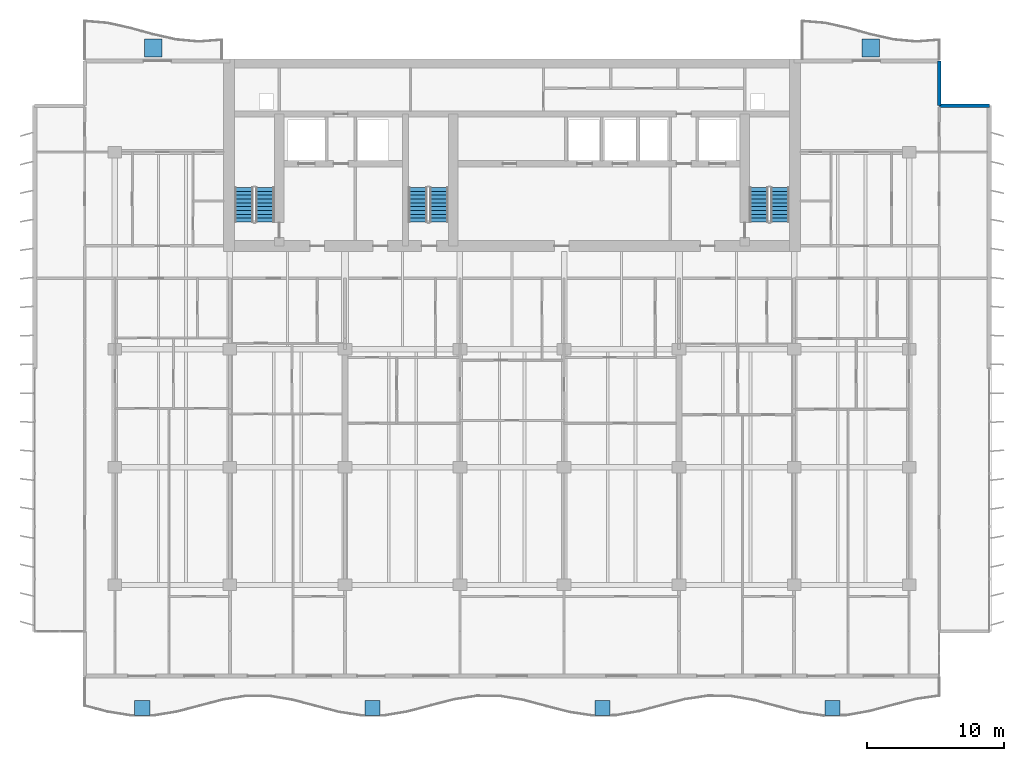
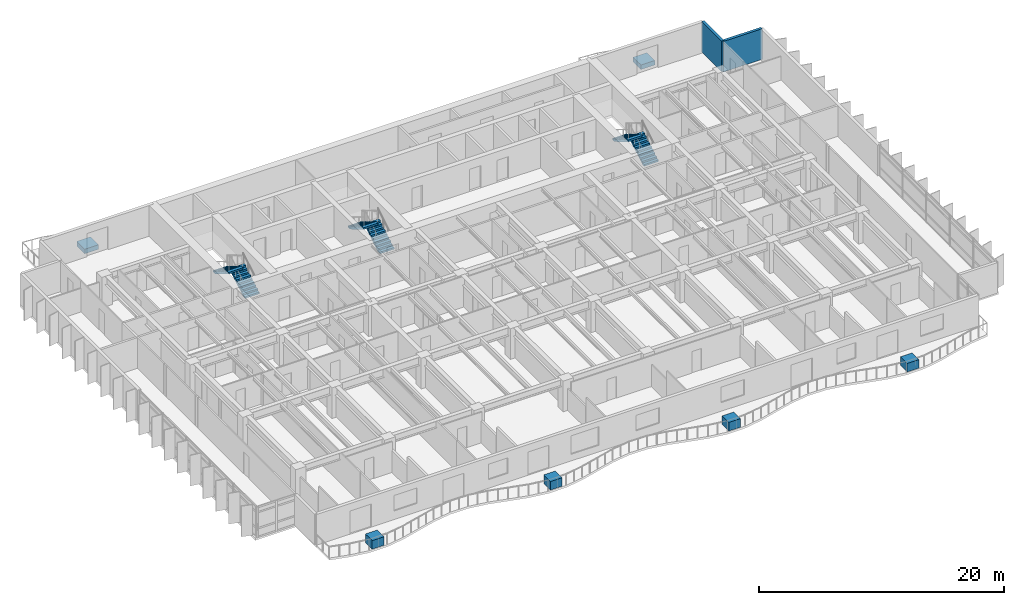
# One storey, part 12 of 16: 6 discrete accessories, 6 stair flights, 2 walls, 3 elements without a shape of their own.
"""IFC4 building model written with IfcOpenShell, lengths in metres."""

from ifc_helpers import new_model, si_unit, direction, frame, frame_2d, origin, origin_2d, place, context, subcontext, project, spatial, polyline, rectangle, outline, extrude, material, layer, layer_set, type_object, element, aggregate, save


model = new_model("IFC4")

# Units and contexts
model_context = context("Model", 3, precision=1e-05, world=origin(), true_north=direction((0.0, 1.0)))
body_context = subcontext(model_context, "Body", "Model", "MODEL_VIEW")
ifc_project = project(units=[si_unit("LENGTHUNIT", "METRE"), si_unit("AREAUNIT", "SQUARE_METRE"), si_unit("VOLUMEUNIT", "CUBIC_METRE"), si_unit("PLANEANGLEUNIT", "RADIAN"), si_unit("MASSUNIT", "GRAM", prefix="KILO")], contexts=[model_context])

# Site, building, storey
site_placement = place(None, origin())
site = spatial("IfcSite", under=ifc_project, at=site_placement, CompositionType="ELEMENT")
building_placement = place(site_placement, origin())
building = spatial("IfcBuilding", under=site, at=building_placement, Name="Caelmar Bay Residences", CompositionType="ELEMENT")
storey_placement = place(building_placement, frame((0.0, 0.0, 102.60009765625)))
storey = spatial("IfcBuildingStorey", under=building, at=storey_placement, Name="L27", CompositionType="ELEMENT", Elevation=102.60009765625)

# Walls
ifc_material_1 = material(Name="Precast concrete f'c 40 MPa (6,000 psi)", Category="concrete")
ifc_layer = layer(ifc_material_1, 0.25)
ifc_layer_set = layer_set([ifc_layer], Name="Precast concrete f'c 40 MPa (6,000 psi)")
wall_type = type_object("IfcWallType", Name="W-EXT-250", PredefinedType="ELEMENTEDWALL", material=ifc_layer_set)
wall_1_placement = place(storey_placement, frame((70.10009765625, 50.449951171875, 0.0), z_axis=(0.0, 0.0, 1.0), x_axis=(0.0, -1.0, 0.0)))
element("IfcWall", 1, at=wall_1_placement, inside=storey, type_object=wall_type, Name="L27 NNE-V Notch Wall", PredefinedType="ELEMENTEDWALL", context=body_context, shape_type="SweptSolid", body=[
    extrude(rectangle(XDim=3.25, YDim=0.25, at=frame_2d((1.625, 0.0))), origin(), (0.0, 0.0, 1.0), 3.0498046875),
])
wall_2_placement = place(storey_placement, frame((70.10009765625, 47.199951171875, 0.0), z_axis=(0.0, 0.0, 1.0), x_axis=(1.0, 0.0, 0.0)))
element("IfcWall", 2, at=wall_2_placement, inside=storey, type_object=wall_type, Name="L27 NNE-H Notch Wall", PredefinedType="ELEMENTEDWALL", context=body_context, shape_type="SweptSolid", body=[
    extrude(rectangle(XDim=3.64990234375, YDim=0.25, at=frame_2d((1.824951171875, 0.0))), origin(), (0.0, 0.0, 1.0), 3.0498046875),
])

# Stair, stair flights
ifc_material_2 = material(Name="Concrete f'c 40 MPa (6,000 psi)", Category="concrete")
stair_type = type_object("IfcStairType", Name="ST-TYP-165", PredefinedType="HALF_TURN_STAIR", material=ifc_material_2)
stair_1_placement = place(storey_placement, origin())
stair_1 = element("IfcStair", 3, at=stair_1_placement, inside=storey, type_object=stair_type, Name="L27 West Smokeproof Exit Stair ST1", PredefinedType="HALF_TURN_STAIR")
stair_flight_type = type_object("IfcStairFlightType", Name="STF-1350", PredefinedType="STRAIGHT", material=ifc_material_2)
stair_flight_1_placement = place(storey_placement, frame((20.875, 38.699951171875, 0.0), z_axis=(0.0, 0.0, 1.0), x_axis=(0.0, 1.0, 0.0)))
stair_flight_1 = element("IfcStairFlight", 4, at=stair_flight_1_placement, type_object=stair_flight_type, Name="ST1 flight 1", NumberOfRisers=10, NumberOfTreads=9, PredefinedType="STRAIGHT", RiserHeight=0.165, TreadLength=0.28, context=body_context, shape_type="SweptSolid", body=[
    extrude(outline(polyline([(0.0, 0.0), (0.0, 0.1650390625), (0.280029296875, 0.1650390625), (0.280029296875, 0.330078125), (0.56005859375, 0.330078125), (0.56005859375, 0.4951171875), (0.840087890625, 0.4951171875), (0.840087890625, 0.659912109375), (1.1201171875, 0.659912109375), (1.1201171875, 0.824951171875), (1.39990234375, 0.824951171875), (1.39990234375, 0.989990234375), (1.679931640625, 0.989990234375), (1.679931640625, 1.155029296875), (1.9599609375, 1.155029296875), (1.9599609375, 1.320068359375), (2.239990234375, 1.320068359375), (2.239990234375, 1.485107421875), (2.52001953125, 1.485107421875), (2.52001953125, 1.64990234375), (2.52001953125, 1.31103515625), (0.295166015625, 0.0), (0.0, 0.0)])), frame((0.0, 0.675048828125, 0.0), z_axis=(0.0, -1.0, 0.0), x_axis=(1.0, 0.0, 0.0)), (0.0, 0.0, 1.0), 1.35009765625),
])
stair_flight_2_placement = place(storey_placement, frame((19.324951171875, 41.219970703125, 1.64990234375), z_axis=(0.0, 0.0, 1.0), x_axis=(0.0, -1.0, 0.0)))
stair_flight_2 = element("IfcStairFlight", 5, at=stair_flight_2_placement, type_object=stair_flight_type, Name="ST1 flight 2", NumberOfRisers=10, NumberOfTreads=9, PredefinedType="STRAIGHT", RiserHeight=0.165, TreadLength=0.28, context=body_context, shape_type="SweptSolid", body=[
    extrude(outline(polyline([(0.0, 0.0), (0.0, 0.1650390625), (0.280029296875, 0.1650390625), (0.280029296875, 0.330078125), (0.56005859375, 0.330078125), (0.56005859375, 0.4951171875), (0.840087890625, 0.4951171875), (0.840087890625, 0.659912109375), (1.1201171875, 0.659912109375), (1.1201171875, 0.824951171875), (1.39990234375, 0.824951171875), (1.39990234375, 0.989990234375), (1.679931640625, 0.989990234375), (1.679931640625, 1.155029296875), (1.9599609375, 1.155029296875), (1.9599609375, 1.320068359375), (2.239990234375, 1.320068359375), (2.239990234375, 1.485107421875), (2.52001953125, 1.485107421875), (2.52001953125, 1.64990234375), (2.52001953125, 1.31103515625), (0.295166015625, 0.0), (0.0, 0.0)])), frame((0.0, 0.675048828125, 0.0), z_axis=(0.0, -1.0, 0.0), x_axis=(1.0, 0.0, 0.0)), (0.0, 0.0, 1.0), 1.35009765625),
])
aggregate(stair_1, [stair_flight_1, stair_flight_2])

stair_2_placement = place(storey_placement, origin())
stair_2 = element("IfcStair", 6, at=stair_2_placement, inside=storey, type_object=stair_type, Name="L27 East Smokeproof Exit Stair ST2", PredefinedType="HALF_TURN_STAIR")
stair_flight_3_placement = place(storey_placement, frame((58.47509765625, 38.699951171875, 0.0), z_axis=(0.0, 0.0, 1.0), x_axis=(0.0, 1.0, 0.0)))
stair_flight_3 = element("IfcStairFlight", 7, at=stair_flight_3_placement, type_object=stair_flight_type, Name="ST2 flight 1", NumberOfRisers=10, NumberOfTreads=9, PredefinedType="STRAIGHT", RiserHeight=0.165, TreadLength=0.28, context=body_context, shape_type="SweptSolid", body=[
    extrude(outline(polyline([(0.0, 0.0), (0.0, 0.1650390625), (0.280029296875, 0.1650390625), (0.280029296875, 0.330078125), (0.56005859375, 0.330078125), (0.56005859375, 0.4951171875), (0.840087890625, 0.4951171875), (0.840087890625, 0.659912109375), (1.1201171875, 0.659912109375), (1.1201171875, 0.824951171875), (1.39990234375, 0.824951171875), (1.39990234375, 0.989990234375), (1.679931640625, 0.989990234375), (1.679931640625, 1.155029296875), (1.9599609375, 1.155029296875), (1.9599609375, 1.320068359375), (2.239990234375, 1.320068359375), (2.239990234375, 1.485107421875), (2.52001953125, 1.485107421875), (2.52001953125, 1.64990234375), (2.52001953125, 1.31103515625), (0.295166015625, 0.0), (0.0, 0.0)])), frame((0.0, 0.675048828125, 0.0), z_axis=(0.0, -1.0, 0.0), x_axis=(1.0, 0.0, 0.0)), (0.0, 0.0, 1.0), 1.35009765625),
])
stair_flight_4_placement = place(storey_placement, frame((56.925048828125, 41.219970703125, 1.64990234375), z_axis=(0.0, 0.0, 1.0), x_axis=(0.0, -1.0, 0.0)))
stair_flight_4 = element("IfcStairFlight", 8, at=stair_flight_4_placement, type_object=stair_flight_type, Name="ST2 flight 2", NumberOfRisers=10, NumberOfTreads=9, PredefinedType="STRAIGHT", RiserHeight=0.165, TreadLength=0.28, context=body_context, shape_type="SweptSolid", body=[
    extrude(outline(polyline([(0.0, 0.0), (0.0, 0.1650390625), (0.280029296875, 0.1650390625), (0.280029296875, 0.330078125), (0.56005859375, 0.330078125), (0.56005859375, 0.4951171875), (0.840087890625, 0.4951171875), (0.840087890625, 0.659912109375), (1.1201171875, 0.659912109375), (1.1201171875, 0.824951171875), (1.39990234375, 0.824951171875), (1.39990234375, 0.989990234375), (1.679931640625, 0.989990234375), (1.679931640625, 1.155029296875), (1.9599609375, 1.155029296875), (1.9599609375, 1.320068359375), (2.239990234375, 1.320068359375), (2.239990234375, 1.485107421875), (2.52001953125, 1.485107421875), (2.52001953125, 1.64990234375), (2.52001953125, 1.31103515625), (0.295166015625, 0.0), (0.0, 0.0)])), frame((0.0, 0.675048828125, 0.0), z_axis=(0.0, -1.0, 0.0), x_axis=(1.0, 0.0, 0.0)), (0.0, 0.0, 1.0), 1.35009765625),
])
aggregate(stair_2, [stair_flight_3, stair_flight_4])

stair_3_placement = place(storey_placement, origin())
stair_3 = element("IfcStair", 9, at=stair_3_placement, inside=storey, type_object=stair_type, Name="L27 Central Smokeproof Exit Stair ST3", PredefinedType="HALF_TURN_STAIR")
stair_flight_5_placement = place(storey_placement, frame((33.574951171875, 38.699951171875, 0.0), z_axis=(0.0, 0.0, 1.0), x_axis=(0.0, 1.0, 0.0)))
stair_flight_5 = element("IfcStairFlight", 10, at=stair_flight_5_placement, type_object=stair_flight_type, Name="ST3 flight 1", NumberOfRisers=10, NumberOfTreads=9, PredefinedType="STRAIGHT", RiserHeight=0.165, TreadLength=0.28, context=body_context, shape_type="SweptSolid", body=[
    extrude(outline(polyline([(0.0, 0.0), (0.0, 0.1650390625), (0.280029296875, 0.1650390625), (0.280029296875, 0.330078125), (0.56005859375, 0.330078125), (0.56005859375, 0.4951171875), (0.840087890625, 0.4951171875), (0.840087890625, 0.659912109375), (1.1201171875, 0.659912109375), (1.1201171875, 0.824951171875), (1.39990234375, 0.824951171875), (1.39990234375, 0.989990234375), (1.679931640625, 0.989990234375), (1.679931640625, 1.155029296875), (1.9599609375, 1.155029296875), (1.9599609375, 1.320068359375), (2.239990234375, 1.320068359375), (2.239990234375, 1.485107421875), (2.52001953125, 1.485107421875), (2.52001953125, 1.64990234375), (2.52001953125, 1.31103515625), (0.295166015625, 0.0), (0.0, 0.0)])), frame((0.0, 0.675048828125, 0.0), z_axis=(0.0, -1.0, 0.0), x_axis=(1.0, 0.0, 0.0)), (0.0, 0.0, 1.0), 1.35009765625),
])
stair_flight_6_placement = place(storey_placement, frame((32.02490234375, 41.219970703125, 1.64990234375), z_axis=(0.0, 0.0, 1.0), x_axis=(0.0, -1.0, 0.0)))
stair_flight_6 = element("IfcStairFlight", 11, at=stair_flight_6_placement, type_object=stair_flight_type, Name="ST3 flight 2", NumberOfRisers=10, NumberOfTreads=9, PredefinedType="STRAIGHT", RiserHeight=0.165, TreadLength=0.28, context=body_context, shape_type="SweptSolid", body=[
    extrude(outline(polyline([(0.0, 0.0), (0.0, 0.1650390625), (0.280029296875, 0.1650390625), (0.280029296875, 0.330078125), (0.56005859375, 0.330078125), (0.56005859375, 0.4951171875), (0.840087890625, 0.4951171875), (0.840087890625, 0.659912109375), (1.1201171875, 0.659912109375), (1.1201171875, 0.824951171875), (1.39990234375, 0.824951171875), (1.39990234375, 0.989990234375), (1.679931640625, 0.989990234375), (1.679931640625, 1.155029296875), (1.9599609375, 1.155029296875), (1.9599609375, 1.320068359375), (2.239990234375, 1.320068359375), (2.239990234375, 1.485107421875), (2.52001953125, 1.485107421875), (2.52001953125, 1.64990234375), (2.52001953125, 1.31103515625), (0.295166015625, 0.0), (0.0, 0.0)])), frame((0.0, 0.675048828125, 0.0), z_axis=(0.0, -1.0, 0.0), x_axis=(1.0, 0.0, 0.0)), (0.0, 0.0, 1.0), 1.35009765625),
])
aggregate(stair_3, [stair_flight_5, stair_flight_6])

# Discrete accessories
ifc_material_3 = material(Name="Architectural bronze GRC planter trough with volcanic-lapilli substrate")
discrete_accessory_type_1 = type_object("IfcDiscreteAccessoryType", Name="ACC-PLANTER-1100", PredefinedType="USERDEFINED", material=ifc_material_3)
for number, where, z_axis, x_axis, name in (
    (12, (11.89990234375, 3.199951171875, -0.000244140625), (0.0, 0.0, 1.0), (1.0, 0.0, 0.0), "L27 Balcony Structural Tree Planter 1"),
    (13, (28.699951171875, 3.199951171875, -0.000244140625), (0.0, 0.0, 1.0), (1.0, 0.0, 0.0), "L27 Balcony Structural Tree Planter 2"),
    (14, (45.5, 3.199951171875, -0.000244140625), (0.0, 0.0, 1.0), (1.0, 0.0, 0.0), "L27 Balcony Structural Tree Planter 3"),
    (15, (62.300048828125, 3.199951171875, -0.000244140625), (0.0, 0.0, 1.0), (1.0, 0.0, 0.0), "L27 Balcony Structural Tree Planter 4"),
):
    element("IfcDiscreteAccessory", number, at=place(storey_placement, frame(where, z_axis=z_axis, x_axis=x_axis)), inside=storey, type_object=discrete_accessory_type_1, Name=name, ObjectType="PLANTER", PredefinedType="USERDEFINED", context=body_context, shape_type="SweptSolid", body=[
        extrude(rectangle(XDim=1.10009765625, YDim=1.10009765625, at=origin_2d()), origin(), (0.0, 0.0, 1.0), 0.85009765625),
    ])
discrete_accessory_type_2 = type_object("IfcDiscreteAccessoryType", Name="STR-PLANTER-KERB-450", PredefinedType="USERDEFINED", material=ifc_material_1)
for number, where, z_axis, x_axis, name in (
    (16, (12.699951171875, 51.39990234375, 0.0), (0.0, 0.0, 1.0), (1.0, 0.0, 0.0), "L27 north_west Structural Tree Planter Kerb"),
    (17, (65.10009765625, 51.39990234375, 0.0), (0.0, 0.0, 1.0), (1.0, 0.0, 0.0), "L27 north_east Structural Tree Planter Kerb"),
):
    element("IfcDiscreteAccessory", number, at=place(storey_placement, frame(where, z_axis=z_axis, x_axis=x_axis)), inside=storey, type_object=discrete_accessory_type_2, Name=name, ObjectType="PLANTER", PredefinedType="USERDEFINED", context=body_context, shape_type="SweptSolid", body=[
        extrude(rectangle(XDim=1.300048828125, YDim=1.300048828125, at=origin_2d()), origin(), (0.0, 0.0, 1.0), 0.449951171875),
    ])

save(model, "model.ifc")
